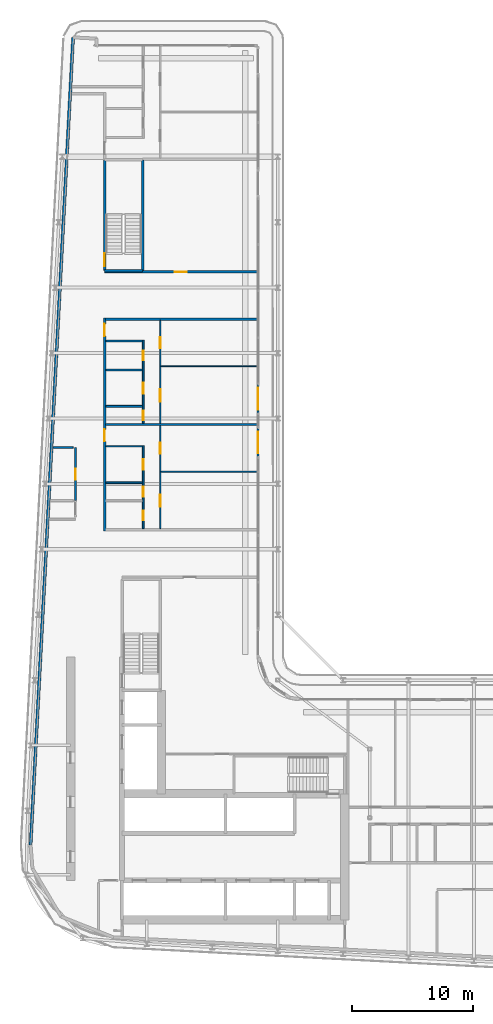
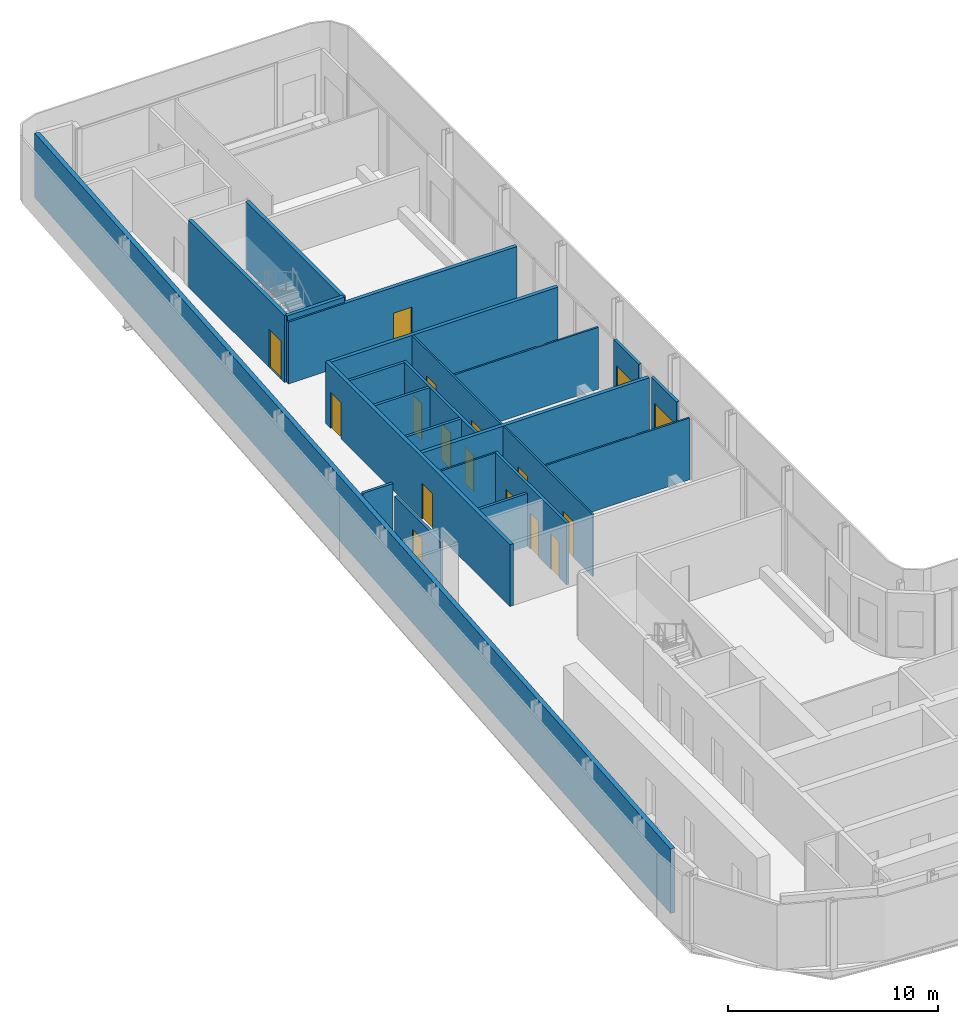
# One storey, part 14 of 23: 23 walls, 17 doors, 17 openings.
"""IFC4 building model written with IfcOpenShell, lengths in metres."""

import ifcopenshell
import ifcopenshell.guid

model = None  # the IFC model being written
_history = None  # IfcOwnerHistory: only IFC2X3 demands one
_inside = {}  # id of a spatial element -> (the spatial element, [elements in it])
_under = {}  # id of a project, library or spatial element -> (it, [spatial elements below it])
_declared = {}  # id of a project -> (the project, [libraries it declares])
_typed = {}  # id of a type object -> (the type object, [elements of that type])
_made_of = {}  # id of a material, layer set ... -> (it, [elements and type objects made of it])


def new_model(schema):
    """Start an empty IFC model of exactly this schema.

    Asked for "IFC4X3", IfcOpenShell would pick the latest addendum, in which some entities
    have other attributes; the version numbers below select the first issue.
    IFC2X3 requires an IfcOwnerHistory on every rooted entity: one is made here for all.
    """
    global model, _history
    if schema == "IFC4X3":
        model = ifcopenshell.file(schema_version=(4, 3, 0, 0))
    else:
        model = ifcopenshell.file(schema=schema)
    _inside.clear()
    _under.clear()
    _declared.clear()
    _typed.clear()
    _made_of.clear()
    _history = None
    if model.schema == "IFC2X3":
        org = make("IfcOrganization", Name="unknown")
        user = make(
            "IfcPersonAndOrganization",
            ThePerson=make("IfcPerson", FamilyName="unknown"),
            TheOrganization=org,
        )
        app = make(
            "IfcApplication",
            ApplicationDeveloper=org,
            Version="unknown",
            ApplicationFullName="unknown",
            ApplicationIdentifier="unknown",
        )
        _history = make(
            "IfcOwnerHistory",
            OwningUser=user,
            OwningApplication=app,
            ChangeAction="ADDED",
            CreationDate=0,
        )
    return model


def make(cls, **values):
    """One entity of the class cls with the attributes given. An attribute that is None is left unset."""
    return model.create_entity(
        cls, **{name: value for name, value in values.items() if value is not None}
    )


def rooted(cls, **values):
    """An entity with a GlobalId (a new one), such as an element, a storey or a relation."""
    return make(cls, GlobalId=ifcopenshell.guid.new(), OwnerHistory=_history, **values)


def si_unit(unit_type, name, prefix=None):
    """IfcSIUnit, for example si_unit("LENGTHUNIT", "METRE", prefix="MILLI")."""
    return make("IfcSIUnit", UnitType=unit_type, Prefix=prefix, Name=name)


def assignment(units):
    """IfcUnitAssignment: the units of a project."""
    return None if units is None else make("IfcUnitAssignment", Units=units)


def point(xyz):
    """IfcCartesianPoint."""
    return None if xyz is None else make("IfcCartesianPoint", Coordinates=xyz)


def direction(xyz):
    """IfcDirection."""
    return None if xyz is None else make("IfcDirection", DirectionRatios=xyz)


def frame(location, z_axis=None, x_axis=None):
    """IfcAxis2Placement3D, a coordinate frame: its origin and axes. An axis left out is left unset."""
    return make(
        "IfcAxis2Placement3D",
        Location=point(location),
        Axis=direction(z_axis),
        RefDirection=direction(x_axis),
    )


def frame_2d(location, x_axis=None):
    """IfcAxis2Placement2D, a coordinate frame in the plane: its origin and x axis."""
    return make(
        "IfcAxis2Placement2D", Location=point(location), RefDirection=direction(x_axis)
    )


def origin():
    """The frame at (0, 0, 0) with its axes left unset."""
    return frame((0.0, 0.0, 0.0))


def place(relative_to, where):
    """IfcLocalPlacement: puts the frame where relative to a parent placement (None: the world)."""
    return make(
        "IfcLocalPlacement", PlacementRelTo=relative_to, RelativePlacement=where
    )


def context(
    kind, dimensions, precision=None, world=None, true_north=None, identifier=None
):
    """IfcGeometricRepresentationContext, for example the 3D "Model" context."""
    return make(
        "IfcGeometricRepresentationContext",
        ContextIdentifier=identifier,
        ContextType=kind,
        CoordinateSpaceDimension=dimensions,
        Precision=precision,
        WorldCoordinateSystem=world,
        TrueNorth=true_north,
    )


def subcontext(parent, identifier, kind, view, scale=None):
    """IfcGeometricRepresentationSubContext, for example "Body" below "Model"."""
    return make(
        "IfcGeometricRepresentationSubContext",
        ContextIdentifier=identifier,
        ContextType=kind,
        ParentContext=parent,
        TargetScale=scale,
        TargetView=view,
    )


def project(units=None, contexts=None):
    """IfcProject with its units and contexts."""
    return rooted(
        "IfcProject",
        Name="project",
        RepresentationContexts=contexts,
        UnitsInContext=assignment(units),
    )


def spatial(cls, under=None, at=None, **own):
    """A site, building, storey or space (cls), placed at a placement, below another one or the project."""
    s = rooted(cls, ObjectPlacement=at, **own)
    if under is not None:
        _under.setdefault(under.id(), (under, []))[1].append(s)
    return s


def profile(cls, at=None, kind="AREA", **sizes):
    """A parametric profile (cls). Its sizes go by their IFC names, for example OverallWidth=200.0."""
    return make(cls, ProfileType=kind, Position=at, **sizes)


def rectangle(**sizes):
    """IfcRectangleProfileDef."""
    return profile("IfcRectangleProfileDef", **sizes)


def extrude(swept, where, along, depth):
    """IfcExtrudedAreaSolid: the profile swept, set in the frame where, extruded along a direction by depth."""
    return make(
        "IfcExtrudedAreaSolid",
        SweptArea=swept,
        Position=where,
        ExtrudedDirection=direction(along),
        Depth=depth,
    )


def shape(context_of_items, identifier, shape_type, items):
    """IfcShapeRepresentation: the items that make up one representation, for example the "Body"."""
    return make(
        "IfcShapeRepresentation",
        ContextOfItems=context_of_items,
        RepresentationIdentifier=identifier,
        RepresentationType=shape_type,
        Items=items,
    )


def source(mapping_origin, context_of_items, identifier, shape_type, items):
    """IfcRepresentationMap: a shape defined once, which mapped items show again and again."""
    return make(
        "IfcRepresentationMap",
        MappingOrigin=mapping_origin,
        MappedRepresentation=shape(context_of_items, identifier, shape_type, items),
    )


def transform(
    local_origin,
    x_axis=None,
    y_axis=None,
    z_axis=None,
    scale=None,
    scale2=None,
    scale3=None,
    uniform=True,
):
    """IfcCartesianTransformationOperator3D, or its non-uniform kind. x_axis, y_axis, z_axis: its Axis1, 2, 3."""
    if uniform:
        return make(
            "IfcCartesianTransformationOperator3D",
            Axis1=direction(x_axis),
            Axis2=direction(y_axis),
            LocalOrigin=point(local_origin),
            Scale=scale,
            Axis3=direction(z_axis),
        )
    return make(
        "IfcCartesianTransformationOperator3DnonUniform",
        Axis1=direction(x_axis),
        Axis2=direction(y_axis),
        LocalOrigin=point(local_origin),
        Scale=scale,
        Axis3=direction(z_axis),
        Scale2=scale2,
        Scale3=scale3,
    )


def mapped(mapping_source, mapping_target):
    """IfcMappedItem: shows the shape of a source again, moved by a transform."""
    return make(
        "IfcMappedItem", MappingSource=mapping_source, MappingTarget=mapping_target
    )


def material(Name=None, Category=None):
    """IfcMaterial."""
    return make("IfcMaterial", Name=Name, Category=Category)


def layer(
    of_material, thickness, ventilated=None, Name=None, Category=None, Priority=None
):
    """IfcMaterialLayer: one layer of a wall or slab, of a material (None: an air gap)."""
    return make(
        "IfcMaterialLayer",
        Material=of_material,
        LayerThickness=thickness,
        IsVentilated=ventilated,
        Name=Name,
        Category=Category,
        Priority=Priority,
    )


def layer_set(layers, Name=None):
    """IfcMaterialLayerSet."""
    return make("IfcMaterialLayerSet", MaterialLayers=layers, LayerSetName=Name)


def made_of(thing, what):
    """Note that an element or type object is made of a material, layer set ...; save() writes the relation."""
    if what is not None:
        _made_of.setdefault(what.id(), (what, []))[1].append(thing)
    return thing


def type_object(cls, material=None, **own):
    """A type object (cls), such as IfcWallType, which elements share."""
    return made_of(rooted(cls, **own), material)


def element(
    cls,
    number,
    at=None,
    inside=None,
    cuts=None,
    type_object=None,
    material=None,
    context=None,
    identifier="Body",
    shape_type=None,
    held_by="IfcProductDefinitionShape",
    body=None,
    shapes=None,
    **own,
):
    """One element of the class cls, such as IfcWall. Its Tag is "e" and its number.

    at: its placement. inside: the storey or other place that contains it. cuts: it is an
    opening in that element (IfcRelVoidsElement). A single representation is given by context,
    identifier, shape_type and body (its items); several are given by shapes. held_by: the class
    of the entity that holds the representations. save() writes the other relations.
    """
    e = rooted(cls, Tag="e%d" % number, ObjectPlacement=at, **own)
    if body is not None:
        shapes = [shape(context, identifier, shape_type, body)]
    if shapes is not None:
        e.Representation = make(held_by, Representations=shapes)
    if inside is not None:
        _inside.setdefault(inside.id(), (inside, []))[1].append(e)
    if cuts is not None:
        rooted(
            "IfcRelVoidsElement", RelatingBuildingElement=cuts, RelatedOpeningElement=e
        )
    if type_object is not None:
        _typed.setdefault(type_object.id(), (type_object, []))[1].append(e)
    return made_of(e, material)


def fill(opening, filler):
    """IfcRelFillsElement: the door or window that sits in an opening."""
    return rooted(
        "IfcRelFillsElement",
        RelatingOpeningElement=opening,
        RelatedBuildingElement=filler,
    )


def aggregate(whole, parts):
    """IfcRelAggregates: a whole, such as a stair, and the parts it consists of."""
    return rooted("IfcRelAggregates", RelatingObject=whole, RelatedObjects=parts)


def save(model, path):
    """Write the relations noted so far, then the file.

    IfcRelAggregates (storeys below a building ...), IfcRelContainedInSpatialStructure (elements
    in a storey), IfcRelDefinesByType, IfcRelAssociatesMaterial and IfcRelDeclares: one each for
    every whole, place, type object, material and project.
    """
    for whole, parts in _under.values():
        aggregate(whole, parts)
    for where, things in _inside.values():
        rooted(
            "IfcRelContainedInSpatialStructure",
            RelatedElements=things,
            RelatingStructure=where,
        )
    for kind, things in _typed.values():
        rooted("IfcRelDefinesByType", RelatedObjects=things, RelatingType=kind)
    for what, things in _made_of.values():
        rooted("IfcRelAssociatesMaterial", RelatedObjects=things, RelatingMaterial=what)
    for by, libraries in _declared.values():
        rooted("IfcRelDeclares", RelatingContext=by, RelatedDefinitions=libraries)
    model.write(path)


model = new_model("IFC4")

# Units and contexts
model_context = context("Model", 3, precision=1e-05, world=origin(), true_north=direction((0.0, 1.0)))
body_context = subcontext(model_context, "Body", "Model", "MODEL_VIEW")
ifc_project = project(units=[si_unit("LENGTHUNIT", "METRE"), si_unit("AREAUNIT", "SQUARE_METRE"), si_unit("VOLUMEUNIT", "CUBIC_METRE"), si_unit("PLANEANGLEUNIT", "RADIAN"), si_unit("MASSUNIT", "GRAM", prefix="KILO")], contexts=[model_context])

# Site, building, storey
site_placement = place(None, origin())
site = spatial("IfcSite", under=ifc_project, at=site_placement, CompositionType="ELEMENT")
building_placement = place(site_placement, origin())
building = spatial("IfcBuilding", under=site, at=building_placement, Name="Kheshtan School and Residences Tower", CompositionType="ELEMENT")
storey_placement = place(building_placement, frame((0.0, 0.0, 247.39990234375)))
storey = spatial("IfcBuildingStorey", under=building, at=storey_placement, Name="L58", CompositionType="ELEMENT", Elevation=247.39990234375)

# Wall, openings, doors
ifc_material_1 = material(Name="Gypsum board on steel studs with fire boards", Category="steel")
ifc_layer_1 = layer(ifc_material_1, 0.199951171875)
ifc_layer_set_1 = layer_set([ifc_layer_1], Name="Corridor wall 200")
wall_type_1 = type_object("IfcWallType", Name="Corridor wall 200", PredefinedType="PARTITIONING", material=ifc_layer_set_1)
wall_1_placement = place(storey_placement, frame((33.300048828125, 57.89990234375, 0.0), z_axis=(0.0, 0.0, 1.0), x_axis=(0.0, 1.0, 0.0)))
wall_1 = element("IfcWall", 1, at=wall_1_placement, inside=storey, type_object=wall_type_1, Name="Partition L58-003", PredefinedType="PARTITIONING", context=body_context, shape_type="SweptSolid", body=[
    extrude(rectangle(XDim=17.60009765625, YDim=0.199951171875, at=frame_2d((8.800048828125, 0.0))), origin(), (0.0, 0.0, 1.0), 3.60009765625),
])
opening_1_placement = place(wall_1_placement, frame((7.39990234375, 0.0, 0.0)))
opening_1 = element("IfcOpeningElement", 2, at=opening_1_placement, cuts=wall_1, Name="Opening D58-024", PredefinedType="OPENING", context=body_context, shape_type="SweptSolid", body=[
    extrude(rectangle(XDim=1.0, YDim=2.10009765625, at=frame_2d((0.5, 1.050048828125))), frame((0.0, 0.10986328125, 0.0), z_axis=(0.0, -1.0, 0.0), x_axis=(1.0, 0.0, 0.0)), (0.0, 0.0, 1.0), 0.219970703125),
])
opening_2_placement = place(wall_1_placement, frame((16.10009765625, 0.0, 0.0)))
opening_2 = element("IfcOpeningElement", 3, at=opening_2_placement, cuts=wall_1, Name="Opening D58-030", PredefinedType="OPENING", context=body_context, shape_type="SweptSolid", body=[
    extrude(rectangle(XDim=1.0, YDim=2.10009765625, at=frame_2d((0.5, 1.050048828125))), frame((0.0, 0.10986328125, 0.0), z_axis=(0.0, -1.0, 0.0), x_axis=(1.0, 0.0, 0.0)), (0.0, 0.0, 1.0), 0.219970703125),
])
ifc_material_2 = material(Name="Steel-framed fire-resisting door leaf", Category="steel")
door_type_1 = type_object("IfcDoorType", Name="Fire door FD30S 1000 x 2100", OperationType="SINGLE_SWING_LEFT", PredefinedType="DOOR", material=ifc_material_2)
shared_shape_1 = source(origin(), body_context, "Body", "SweptSolid", [
    extrude(rectangle(XDim=1.0, YDim=2.10009765625, at=frame_2d((0.5, 1.050048828125))), frame((0.0, 0.02490234375, 0.0), z_axis=(0.0, -1.0, 0.0), x_axis=(1.0, 0.0, 0.0)), (0.0, 0.0, 1.0), 0.050048828125),
])
door_1_placement = place(opening_1_placement, origin())
door_1 = element("IfcDoor", 4, at=door_1_placement, inside=storey, type_object=door_type_1, Name="Door D58-024", OperationType="SINGLE_SWING_LEFT", OverallHeight=2.10009765625, OverallWidth=1.0, PredefinedType="DOOR", context=body_context, shape_type="MappedRepresentation", body=[
    mapped(shared_shape_1, transform((0.0, 0.0, 0.0), x_axis=(1.0, 0.0, 0.0), y_axis=(0.0, 1.0, 0.0), z_axis=(0.0, 0.0, 1.0), scale=1.0)),
])
fill(opening_1, door_1)
door_2_placement = place(opening_2_placement, origin())
door_2 = element("IfcDoor", 5, at=door_2_placement, inside=storey, type_object=door_type_1, Name="Door D58-030", OperationType="SINGLE_SWING_RIGHT", OverallHeight=2.10009765625, OverallWidth=1.0, PredefinedType="DOOR", context=body_context, shape_type="MappedRepresentation", body=[
    mapped(shared_shape_1, transform((0.0, 0.0, 0.0), x_axis=(1.0, 0.0, 0.0), y_axis=(0.0, 1.0, 0.0), z_axis=(0.0, 0.0, 1.0), scale=1.0)),
])
fill(opening_2, door_2)

# Wall, opening, door
wall_2_placement = place(storey_placement, frame((33.300048828125, 79.300048828125, 0.0), z_axis=(0.0, 0.0, 1.0), x_axis=(1.0, 0.0, 0.0)))
wall_2 = element("IfcWall", 6, at=wall_2_placement, inside=storey, type_object=wall_type_1, Name="Partition L58-004", PredefinedType="PARTITIONING", context=body_context, shape_type="SweptSolid", body=[
    extrude(rectangle(XDim=12.599853515625, YDim=0.199951171875, at=frame_2d((6.2998046875, 0.0))), origin(), (0.0, 0.0, 1.0), 3.60009765625),
])
opening_3_placement = place(wall_2_placement, frame((5.794921875, 0.0, 0.0)))
opening_3 = element("IfcOpeningElement", 7, at=opening_3_placement, cuts=wall_2, Name="Opening D58-043", PredefinedType="OPENING", context=body_context, shape_type="SweptSolid", body=[
    extrude(rectangle(XDim=1.0, YDim=2.10009765625, at=frame_2d((0.5, 1.050048828125))), frame((0.0, 0.10986328125, 0.0), z_axis=(0.0, -1.0, 0.0), x_axis=(1.0, 0.0, 0.0)), (0.0, 0.0, 1.0), 0.219970703125),
])
door_type_2 = type_object("IfcDoorType", Name="Fire door FD60 1000 x 2100", OperationType="SINGLE_SWING_LEFT", PredefinedType="DOOR", material=ifc_material_2)
shared_shape_2 = source(origin(), body_context, "Body", "SweptSolid", [
    extrude(rectangle(XDim=1.0, YDim=2.10009765625, at=frame_2d((0.5, 1.050048828125))), frame((0.0, 0.02490234375, 0.0), z_axis=(0.0, -1.0, 0.0), x_axis=(1.0, 0.0, 0.0)), (0.0, 0.0, 1.0), 0.050048828125),
])
door_3_placement = place(opening_3_placement, origin())
door_3 = element("IfcDoor", 8, at=door_3_placement, inside=storey, type_object=door_type_2, Name="Door D58-043", OperationType="SINGLE_SWING_RIGHT", OverallHeight=2.10009765625, OverallWidth=1.0, PredefinedType="DOOR", context=body_context, shape_type="MappedRepresentation", body=[
    mapped(shared_shape_2, transform((0.0, 0.0, 0.0), x_axis=(1.0, 0.0, 0.0), y_axis=(0.0, 1.0, 0.0), z_axis=(0.0, 0.0, 1.0), scale=1.0)),
])
fill(opening_3, door_3)

# Walls
wall_3_placement = place(storey_placement, frame((33.39990234375, 75.39990234375, 0.0), z_axis=(0.0, 0.0, 1.0), x_axis=(1.0, 0.0, 0.0)))
element("IfcWall", 9, at=wall_3_placement, inside=storey, type_object=wall_type_1, Name="Partition L58-014", PredefinedType="PARTITIONING", context=body_context, shape_type="SweptSolid", body=[
    extrude(rectangle(XDim=12.5, YDim=0.199951171875, at=frame_2d((6.25, 0.0))), origin(), (0.0, 0.0, 1.0), 3.60009765625),
])
ifc_material_3 = material(Name="Concrete C40/50 with ceramic cladding and mineral wool insulation", Category="concrete")
ifc_layer_2 = layer(ifc_material_3, 0.25)
ifc_layer_set_2 = layer_set([ifc_layer_2], Name="External wall 250 ceramic clad")
wall_type_2 = type_object("IfcWallType", Name="External wall 250 ceramic clad", PredefinedType="SOLIDWALL", material=ifc_layer_set_2)
wall_4_placement = place(storey_placement, frame((27.195068359375, 31.968994140625, 0.0), z_axis=(0.0, 0.0, 1.0), x_axis=(0.052554995867, 0.998618031286, 0.0)))
element("IfcWall", 10, at=wall_4_placement, inside=storey, type_object=wall_type_2, Name="External wall L58 4", PredefinedType="SOLIDWALL", context=body_context, shape_type="SweptSolid", body=[
    extrude(rectangle(XDim=66.787353515625, YDim=0.25, at=frame_2d((33.3935546875, 0.0))), origin(), (0.0, 0.0, 1.0), 3.75),
])

# Wall, opening, door
ifc_material_4 = material(Name="Aluminium frame wall with insulated infill", Category="aluminium")
ifc_layer_3 = layer(ifc_material_4, 0.14990234375)
ifc_layer_set_3 = layer_set([ifc_layer_3], Name="Glazing frame wall 150")
wall_type_3 = type_object("IfcWallType", Name="Glazing frame wall 150", PredefinedType="SOLIDWALL", material=ifc_layer_set_3)
wall_5_placement = place(storey_placement, frame((45.97509765625, 70.01806640625, 0.0), z_axis=(0.0, 0.0, 1.0), x_axis=(0.0, -1.0, 0.0)))
wall_5 = element("IfcWall", 11, at=wall_5_placement, inside=storey, type_object=wall_type_3, Name="Balcony door wall L58 8.3", PredefinedType="SOLIDWALL", context=body_context, shape_type="SweptSolid", body=[
    extrude(rectangle(XDim=2.400146484375, YDim=0.14990234375, at=frame_2d((1.2001953125, 0.0))), origin(), (0.0, 0.0, 1.0), 3.75),
])
opening_4_placement = place(wall_5_placement, frame((0.300048828125, 0.0, 0.0)))
opening_4 = element("IfcOpeningElement", 12, at=opening_4_placement, cuts=wall_5, Name="Opening BD", PredefinedType="OPENING", context=body_context, shape_type="SweptSolid", body=[
    extrude(rectangle(XDim=1.800048828125, YDim=2.39990234375, at=frame_2d((0.89990234375, 1.199951171875))), frame((0.0, 0.0849609375, 0.0), z_axis=(0.0, -1.0, 0.0), x_axis=(1.0, 0.0, 0.0)), (0.0, 0.0, 1.0), 0.169921875),
])
ifc_material_5 = material(Name="Clear low-e glass in thermally broken aluminium frame", Category="aluminium")
door_type_3 = type_object("IfcDoorType", Name="Balcony sliding door", OperationType="SLIDING_TO_LEFT", PredefinedType="DOOR", material=ifc_material_5)
shared_shape_3 = source(origin(), body_context, "Body", "SweptSolid", [
    extrude(rectangle(XDim=1.800048828125, YDim=2.39990234375, at=frame_2d((0.89990234375, 1.199951171875))), frame((0.0, 0.02490234375, 0.0), z_axis=(0.0, -1.0, 0.0), x_axis=(1.0, 0.0, 0.0)), (0.0, 0.0, 1.0), 0.050048828125),
])
door_4_placement = place(opening_4_placement, origin())
door_4 = element("IfcDoor", 13, at=door_4_placement, inside=storey, type_object=door_type_3, Name="Balcony door L58 8.3", OperationType="SLIDING_TO_LEFT", OverallHeight=2.39990234375, OverallWidth=1.800048828125, PredefinedType="DOOR", context=body_context, shape_type="MappedRepresentation", body=[
    mapped(shared_shape_3, transform((0.0, 0.0, 0.0), x_axis=(1.0, 0.0, 0.0), y_axis=(0.0, 1.0, 0.0), z_axis=(0.0, 0.0, 1.0), scale=1.0)),
])
fill(opening_4, door_4)

wall_6_placement = place(storey_placement, frame((45.97509765625, 66.41796875, 0.0), z_axis=(0.0, 0.0, 1.0), x_axis=(0.0, -1.0, 0.0)))
wall_6 = element("IfcWall", 14, at=wall_6_placement, inside=storey, type_object=wall_type_3, Name="Balcony door wall L58 8.4", PredefinedType="SOLIDWALL", context=body_context, shape_type="SweptSolid", body=[
    extrude(rectangle(XDim=2.39990234375, YDim=0.14990234375, at=frame_2d((1.199951171875, 0.0))), origin(), (0.0, 0.0, 1.0), 3.75),
])
opening_5_placement = place(wall_6_placement, frame((0.300048828125, 0.0, 0.0)))
opening_5 = element("IfcOpeningElement", 15, at=opening_5_placement, cuts=wall_6, Name="Opening BD", PredefinedType="OPENING", context=body_context, shape_type="SweptSolid", body=[
    extrude(rectangle(XDim=1.800048828125, YDim=2.39990234375, at=frame_2d((0.89990234375, 1.199951171875))), frame((0.0, 0.0849609375, 0.0), z_axis=(0.0, -1.0, 0.0), x_axis=(1.0, 0.0, 0.0)), (0.0, 0.0, 1.0), 0.169921875),
])
door_5_placement = place(opening_5_placement, origin())
door_5 = element("IfcDoor", 16, at=door_5_placement, inside=storey, type_object=door_type_3, Name="Balcony door L58 8.4", OperationType="SLIDING_TO_LEFT", OverallHeight=2.39990234375, OverallWidth=1.800048828125, PredefinedType="DOOR", context=body_context, shape_type="MappedRepresentation", body=[
    mapped(shared_shape_3, transform((0.0, 0.0, 0.0), x_axis=(1.0, 0.0, 0.0), y_axis=(0.0, 1.0, 0.0), z_axis=(0.0, 0.0, 1.0), scale=1.0)),
])
fill(opening_5, door_5)

# Wall
ifc_material_6 = material(Name="Gypsum board on steel studs", Category="steel")
ifc_layer_4 = layer(ifc_material_6, 0.10009765625)
ifc_layer_set_4 = layer_set([ifc_layer_4], Name="Gypsum partition 100")
wall_type_4 = type_object("IfcWallType", Name="Gypsum partition 100", PredefinedType="PARTITIONING", material=ifc_layer_set_4)
wall_7_placement = place(storey_placement, frame((33.39990234375, 64.89990234375, 0.0), z_axis=(0.0, 0.0, 1.0), x_axis=(1.0, 0.0, 0.0)))
element("IfcWall", 17, at=wall_7_placement, inside=storey, type_object=wall_type_4, Name="Partition L58-009", PredefinedType="PARTITIONING", context=body_context, shape_type="SweptSolid", body=[
    extrude(rectangle(XDim=3.025146484375, YDim=0.10009765625, at=frame_2d((1.5126953125, 0.0))), origin(), (0.0, 0.0, 1.0), 3.60009765625),
])

# Wall, openings, doors
wall_8_placement = place(storey_placement, frame((37.89990234375, 58.10009765625, 0.0), z_axis=(0.0, 0.0, 1.0), x_axis=(0.0, 1.0, 0.0)))
wall_8 = element("IfcWall", 18, at=wall_8_placement, inside=storey, type_object=wall_type_4, Name="Partition L58-024", PredefinedType="PARTITIONING", context=body_context, shape_type="SweptSolid", body=[
    extrude(rectangle(XDim=8.5, YDim=0.10009765625, at=frame_2d((4.25, 0.0))), origin(), (0.0, 0.0, 1.0), 3.60009765625),
])
opening_6_placement = place(wall_8_placement, frame((6.199951171875, 0.0, 0.0)))
opening_6 = element("IfcOpeningElement", 19, at=opening_6_placement, cuts=wall_8, Name="Opening D58-023", PredefinedType="OPENING", context=body_context, shape_type="SweptSolid", body=[
    extrude(rectangle(XDim=0.89990234375, YDim=2.10009765625, at=frame_2d((0.449951171875, 1.050048828125))), frame((0.0, 0.06005859375, 0.0), z_axis=(0.0, -1.0, 0.0), x_axis=(1.0, 0.0, 0.0)), (0.0, 0.0, 1.0), 0.1201171875),
])
opening_7_placement = place(wall_8_placement, frame((1.800048828125, 0.0, 0.0)))
opening_7 = element("IfcOpeningElement", 20, at=opening_7_placement, cuts=wall_8, Name="Opening D58-026", PredefinedType="OPENING", context=body_context, shape_type="SweptSolid", body=[
    extrude(rectangle(XDim=1.0, YDim=2.10009765625, at=frame_2d((0.5, 1.050048828125))), frame((0.0, 0.06005859375, 0.0), z_axis=(0.0, -1.0, 0.0), x_axis=(1.0, 0.0, 0.0)), (0.0, 0.0, 1.0), 0.1201171875),
])
ifc_material_7 = material(Name="Veneered timber door leaf", Category="wood")
door_type_4 = type_object("IfcDoorType", Name="Door 1000 x 2100", OperationType="SINGLE_SWING_LEFT", PredefinedType="DOOR", material=ifc_material_7)
shared_shape_4 = source(origin(), body_context, "Body", "SweptSolid", [
    extrude(rectangle(XDim=1.0, YDim=2.10009765625, at=frame_2d((0.5, 1.050048828125))), frame((0.0, 0.02490234375, 0.0), z_axis=(0.0, -1.0, 0.0), x_axis=(1.0, 0.0, 0.0)), (0.0, 0.0, 1.0), 0.050048828125),
])
door_6_placement = place(opening_7_placement, origin())
door_6 = element("IfcDoor", 21, at=door_6_placement, inside=storey, type_object=door_type_4, Name="Door D58-026", OperationType="SINGLE_SWING_RIGHT", OverallHeight=2.10009765625, OverallWidth=1.0, PredefinedType="DOOR", context=body_context, shape_type="MappedRepresentation", body=[
    mapped(shared_shape_4, transform((0.0, 0.0, 0.0), x_axis=(1.0, 0.0, 0.0), y_axis=(0.0, 1.0, 0.0), z_axis=(0.0, 0.0, 1.0), scale=1.0)),
])
fill(opening_7, door_6)
door_type_5 = type_object("IfcDoorType", Name="Door 900 x 2100", OperationType="SINGLE_SWING_LEFT", PredefinedType="DOOR", material=ifc_material_7)
shared_shape_5 = source(origin(), body_context, "Body", "SweptSolid", [
    extrude(rectangle(XDim=0.89990234375, YDim=2.10009765625, at=frame_2d((0.449951171875, 1.050048828125))), frame((0.0, 0.02490234375, 0.0), z_axis=(0.0, -1.0, 0.0), x_axis=(1.0, 0.0, 0.0)), (0.0, 0.0, 1.0), 0.050048828125),
])
door_7_placement = place(opening_6_placement, origin())
door_7 = element("IfcDoor", 22, at=door_7_placement, inside=storey, type_object=door_type_5, Name="Door D58-023", OperationType="SINGLE_SWING_RIGHT", OverallHeight=2.10009765625, OverallWidth=0.89990234375, PredefinedType="DOOR", context=body_context, shape_type="MappedRepresentation", body=[
    mapped(shared_shape_5, transform((0.0, 0.0, 0.0), x_axis=(1.0, 0.0, 0.0), y_axis=(0.0, 1.0, 0.0), z_axis=(0.0, 0.0, 1.0), scale=1.0)),
])
fill(opening_6, door_7)

wall_9_placement = place(storey_placement, frame((37.89990234375, 66.800048828125, 0.0), z_axis=(0.0, 0.0, 1.0), x_axis=(0.0, 1.0, 0.0)))
wall_9 = element("IfcWall", 23, at=wall_9_placement, inside=storey, type_object=wall_type_4, Name="Partition L58-025", PredefinedType="PARTITIONING", context=body_context, shape_type="SweptSolid", body=[
    extrude(rectangle(XDim=8.5, YDim=0.10009765625, at=frame_2d((4.25, 0.0))), origin(), (0.0, 0.0, 1.0), 3.60009765625),
])
opening_8_placement = place(wall_9_placement, frame((6.199951171875, 0.0, 0.0)))
opening_8 = element("IfcOpeningElement", 24, at=opening_8_placement, cuts=wall_9, Name="Opening D58-029", PredefinedType="OPENING", context=body_context, shape_type="SweptSolid", body=[
    extrude(rectangle(XDim=0.89990234375, YDim=2.10009765625, at=frame_2d((0.449951171875, 1.050048828125))), frame((0.0, 0.06005859375, 0.0), z_axis=(0.0, -1.0, 0.0), x_axis=(1.0, 0.0, 0.0)), (0.0, 0.0, 1.0), 0.1201171875),
])
opening_9_placement = place(wall_9_placement, frame((1.800048828125, 0.0, 0.0)))
opening_9 = element("IfcOpeningElement", 25, at=opening_9_placement, cuts=wall_9, Name="Opening D58-032", PredefinedType="OPENING", context=body_context, shape_type="SweptSolid", body=[
    extrude(rectangle(XDim=1.0, YDim=2.10009765625, at=frame_2d((0.5, 1.050048828125))), frame((0.0, 0.06005859375, 0.0), z_axis=(0.0, -1.0, 0.0), x_axis=(1.0, 0.0, 0.0)), (0.0, 0.0, 1.0), 0.1201171875),
])
door_8_placement = place(opening_9_placement, origin())
door_8 = element("IfcDoor", 26, at=door_8_placement, inside=storey, type_object=door_type_4, Name="Door D58-032", OperationType="SINGLE_SWING_RIGHT", OverallHeight=2.10009765625, OverallWidth=1.0, PredefinedType="DOOR", context=body_context, shape_type="MappedRepresentation", body=[
    mapped(shared_shape_4, transform((0.0, 0.0, 0.0), x_axis=(1.0, 0.0, 0.0), y_axis=(0.0, 1.0, 0.0), z_axis=(0.0, 0.0, 1.0), scale=1.0)),
])
fill(opening_9, door_8)
door_9_placement = place(opening_8_placement, origin())
door_9 = element("IfcDoor", 27, at=door_9_placement, inside=storey, type_object=door_type_5, Name="Door D58-029", OperationType="SINGLE_SWING_RIGHT", OverallHeight=2.10009765625, OverallWidth=0.89990234375, PredefinedType="DOOR", context=body_context, shape_type="MappedRepresentation", body=[
    mapped(shared_shape_5, transform((0.0, 0.0, 0.0), x_axis=(1.0, 0.0, 0.0), y_axis=(0.0, 1.0, 0.0), z_axis=(0.0, 0.0, 1.0), scale=1.0)),
])
fill(opening_8, door_9)

# Walls
for number, where, z_axis, x_axis, name in (
    (28, (37.949951171875, 62.800048828125, 0.0), (0.0, 0.0, 1.0), (1.0, 0.0, 0.0), "Partition L58-027"),
    (29, (37.949951171875, 71.5, 0.0), (0.0, 0.0, 1.0), (1.0, 0.0, 0.0), "Partition L58-028"),
):
    element("IfcWall", number, at=place(storey_placement, frame(where, z_axis=z_axis, x_axis=x_axis)), inside=storey, type_object=wall_type_4, Name=name, PredefinedType="PARTITIONING", context=body_context, shape_type="SweptSolid", body=[
        extrude(rectangle(XDim=7.949951171875, YDim=0.10009765625, at=frame_2d((3.97509765625, 0.0))), origin(), (0.0, 0.0, 1.0), 3.60009765625),
    ])

# Wall, opening, door
ifc_material_8 = material(Name="Fire-board shaft wall system")
ifc_layer_5 = layer(ifc_material_8, 0.14990234375)
ifc_layer_set_5 = layer_set([ifc_layer_5], Name="Service room wall 150")
wall_type_5 = type_object("IfcWallType", Name="Service room wall 150", PredefinedType="PARTITIONING", material=ifc_layer_set_5)
wall_10_placement = place(storey_placement, frame((30.89990234375, 60.4140625, 0.0), z_axis=(0.0, 0.0, 1.0), x_axis=(0.0, 1.0, 0.0)))
wall_10 = element("IfcWall", 30, at=wall_10_placement, inside=storey, type_object=wall_type_5, Name="Service room wall", PredefinedType="PARTITIONING", context=body_context, shape_type="SweptSolid", body=[
    extrude(rectangle(XDim=4.385986328125, YDim=0.14990234375, at=frame_2d((2.19287109375, 0.0))), origin(), (0.0, 0.0, 1.0), 3.072021484375),
])
opening_10_placement = place(wall_10_placement, frame((1.742919921875, 0.0, 0.0)))
opening_10 = element("IfcOpeningElement", 31, at=opening_10_placement, cuts=wall_10, Name="Opening SR90", PredefinedType="OPENING", context=body_context, shape_type="SweptSolid", body=[
    extrude(rectangle(XDim=0.89990234375, YDim=2.199951171875, at=frame_2d((0.449951171875, 1.10009765625))), frame((0.0, 0.0849609375, 0.0), z_axis=(0.0, -1.0, 0.0), x_axis=(1.0, 0.0, 0.0)), (0.0, 0.0, 1.0), 0.169921875),
])
ifc_material_9 = material(Name="Steel door leaf, galvanised", Category="steel")
door_type_6 = type_object("IfcDoorType", Name="Service room door 900 steel 90 min", OperationType="SINGLE_SWING_LEFT", PredefinedType="DOOR", material=ifc_material_9)
shared_shape_6 = source(origin(), body_context, "Body", "SweptSolid", [
    extrude(rectangle(XDim=0.89990234375, YDim=2.199951171875, at=frame_2d((0.449951171875, 1.10009765625))), frame((0.0, 0.02490234375, 0.0), z_axis=(0.0, -1.0, 0.0), x_axis=(1.0, 0.0, 0.0)), (0.0, 0.0, 1.0), 0.050048828125),
])
door_10_placement = place(opening_10_placement, origin())
door_10 = element("IfcDoor", 32, at=door_10_placement, inside=storey, type_object=door_type_6, Name="Service room door", OperationType="SINGLE_SWING_LEFT", OverallHeight=2.199951171875, OverallWidth=0.89990234375, PredefinedType="DOOR", context=body_context, shape_type="MappedRepresentation", body=[
    mapped(shared_shape_6, transform((0.0, 0.0, 0.0), x_axis=(1.0, 0.0, 0.0), y_axis=(0.0, 1.0, 0.0), z_axis=(0.0, 0.0, 1.0), scale=1.0)),
])
fill(opening_10, door_10)

# Walls
wall_11_placement = place(storey_placement, frame((29.050048828125, 64.800048828125, 0.0), z_axis=(0.0, 0.0, 1.0), x_axis=(1.0, 0.0, 0.0)))
element("IfcWall", 33, at=wall_11_placement, inside=storey, type_object=wall_type_5, Name="Service room wall", PredefinedType="PARTITIONING", context=body_context, shape_type="SweptSolid", body=[
    extrude(rectangle(XDim=1.655029296875, YDim=0.14990234375, at=frame_2d((0.82763671875, 0.0))), origin(), (0.0, 0.0, 1.0), 3.900146484375),
])
ifc_material_10 = material(Name="Concrete C40/50", Category="concrete")
ifc_layer_6 = layer(ifc_material_10, 0.199951171875)
ifc_layer_set_6 = layer_set([ifc_layer_6], Name="Stair enclosure wall 200 Concrete C40/50")
wall_type_6 = type_object("IfcWallType", Name="Stair enclosure wall 200 Concrete C40/50", PredefinedType="SHEAR", material=ifc_layer_set_6)
wall_12_placement = place(storey_placement, frame((33.300048828125, 79.39990234375, 0.0), z_axis=(0.0, 0.0, 1.0), x_axis=(1.0, 0.0, 0.0)))
element("IfcWall", 34, at=wall_12_placement, inside=storey, type_object=wall_type_6, Name="Stair enclosure wall ST3", PredefinedType="SHEAR", context=body_context, shape_type="SweptSolid", body=[
    extrude(rectangle(XDim=3.14990234375, YDim=0.199951171875, at=frame_2d((1.574951171875, 0.0))), origin(), (0.0, 0.0, 1.0), 3.900146484375),
])

# Wall, opening, door
wall_13_placement = place(storey_placement, frame((33.300048828125, 79.39990234375, 0.0), z_axis=(0.0, 0.0, 1.0), x_axis=(0.0, 1.0, 0.0)))
wall_13 = element("IfcWall", 35, at=wall_13_placement, inside=storey, type_object=wall_type_6, Name="Stair enclosure wall ST3", PredefinedType="SHEAR", context=body_context, shape_type="SweptSolid", body=[
    extrude(rectangle(XDim=9.16015625, YDim=0.199951171875, at=frame_2d((4.580078125, 0.0))), origin(), (0.0, 0.0, 1.0), 3.900146484375),
])
opening_11_placement = place(wall_13_placement, frame((0.35009765625, 0.0, 0.0)))
opening_11 = element("IfcOpeningElement", 36, at=opening_11_placement, cuts=wall_13, Name="Opening ST3D", PredefinedType="OPENING", context=body_context, shape_type="SweptSolid", body=[
    extrude(rectangle(XDim=1.10009765625, YDim=2.199951171875, at=frame_2d((0.550048828125, 1.10009765625))), frame((0.0, 0.10986328125, 0.0), z_axis=(0.0, -1.0, 0.0), x_axis=(1.0, 0.0, 0.0)), (0.0, 0.0, 1.0), 0.219970703125),
])
door_type_7 = type_object("IfcDoorType", Name="Stair door 1100 steel 90 min", OperationType="SINGLE_SWING_LEFT", PredefinedType="DOOR", material=ifc_material_9)
shared_shape_7 = source(origin(), body_context, "Body", "SweptSolid", [
    extrude(rectangle(XDim=1.10009765625, YDim=2.199951171875, at=frame_2d((0.550048828125, 1.10009765625))), frame((0.0, 0.02490234375, 0.0), z_axis=(0.0, -1.0, 0.0), x_axis=(1.0, 0.0, 0.0)), (0.0, 0.0, 1.0), 0.050048828125),
])
door_11_placement = place(opening_11_placement, origin())
door_11 = element("IfcDoor", 37, at=door_11_placement, inside=storey, type_object=door_type_7, Name="Stair ST3 door", OperationType="SINGLE_SWING_RIGHT", OverallHeight=2.199951171875, OverallWidth=1.10009765625, PredefinedType="DOOR", context=body_context, shape_type="MappedRepresentation", body=[
    mapped(shared_shape_7, transform((0.0, 0.0, 0.0), x_axis=(1.0, 0.0, 0.0), y_axis=(0.0, 1.0, 0.0), z_axis=(0.0, 0.0, 1.0), scale=1.0)),
])
fill(opening_11, door_11)

# Walls
wall_14_placement = place(storey_placement, frame((36.449951171875, 79.39990234375, 0.0), z_axis=(0.0, 0.0, 1.0), x_axis=(0.0, 1.0, 0.0)))
element("IfcWall", 38, at=wall_14_placement, inside=storey, type_object=wall_type_6, Name="Stair enclosure wall ST3", PredefinedType="SHEAR", context=body_context, shape_type="SweptSolid", body=[
    extrude(rectangle(XDim=9.16015625, YDim=0.199951171875, at=frame_2d((4.580078125, 0.0))), origin(), (0.0, 0.0, 1.0), 3.900146484375),
])
ifc_material_11 = material(Name="Twin gypsum board on steel studs with mineral wool", Category="steel")
ifc_layer_7 = layer(ifc_material_11, 0.199951171875)
ifc_layer_set_7 = layer_set([ifc_layer_7], Name="Unit demising wall 200")
wall_type_7 = type_object("IfcWallType", Name="Unit demising wall 200", PredefinedType="PARTITIONING", material=ifc_layer_set_7)
wall_15_placement = place(storey_placement, frame((33.39990234375, 66.699951171875, 0.0), z_axis=(0.0, 0.0, 1.0), x_axis=(1.0, 0.0, 0.0)))
element("IfcWall", 39, at=wall_15_placement, inside=storey, type_object=wall_type_7, Name="Partition L58-010", PredefinedType="PARTITIONING", context=body_context, shape_type="SweptSolid", body=[
    extrude(rectangle(XDim=12.5, YDim=0.199951171875, at=frame_2d((6.25, 0.0))), origin(), (0.0, 0.0, 1.0), 3.60009765625),
])
ifc_material_12 = material(Name="Moisture-resistant gypsum board on steel studs", Category="steel")
ifc_layer_8 = layer(ifc_material_12, 0.14990234375)
ifc_layer_set_8 = layer_set([ifc_layer_8], Name="Wet-room partition 150")
wall_type_8 = type_object("IfcWallType", Name="Wet-room partition 150", PredefinedType="PARTITIONING", material=ifc_layer_set_8)
wall_16_placement = place(storey_placement, frame((33.39990234375, 61.89990234375, 0.0), z_axis=(0.0, 0.0, 1.0), x_axis=(1.0, 0.0, 0.0)))
element("IfcWall", 40, at=wall_16_placement, inside=storey, type_object=wall_type_8, Name="Partition L58-008", PredefinedType="PARTITIONING", context=body_context, shape_type="SweptSolid", body=[
    extrude(rectangle(XDim=3.025146484375, YDim=0.14990234375, at=frame_2d((1.5126953125, 0.0))), origin(), (0.0, 0.0, 1.0), 3.072021484375),
])
for number, where, z_axis, x_axis, name in (
    (41, (33.39990234375, 68.199951171875, 0.0), (0.0, 0.0, 1.0), (1.0, 0.0, 0.0), "Partition L58-011"),
    (42, (33.39990234375, 71.199951171875, 0.0), (0.0, 0.0, 1.0), (1.0, 0.0, 0.0), "Partition L58-012"),
    (43, (33.39990234375, 73.60009765625, 0.0), (0.0, 0.0, 1.0), (1.0, 0.0, 0.0), "Partition L58-013"),
):
    element("IfcWall", number, at=place(storey_placement, frame(where, z_axis=z_axis, x_axis=x_axis)), inside=storey, type_object=wall_type_8, Name=name, PredefinedType="PARTITIONING", context=body_context, shape_type="SweptSolid", body=[
        extrude(rectangle(XDim=3.025146484375, YDim=0.14990234375, at=frame_2d((1.5126953125, 0.0))), origin(), (0.0, 0.0, 1.0), 3.60009765625),
    ])

# Wall, openings, doors
wall_17_placement = place(storey_placement, frame((36.5, 58.10009765625, 0.0), z_axis=(0.0, 0.0, 1.0), x_axis=(0.0, 1.0, 0.0)))
wall_17 = element("IfcWall", 44, at=wall_17_placement, inside=storey, type_object=wall_type_8, Name="Partition L58-020", PredefinedType="PARTITIONING", context=body_context, shape_type="SweptSolid", body=[
    extrude(rectangle(XDim=6.849853515625, YDim=0.14990234375, at=frame_2d((3.4248046875, 0.0))), origin(), (0.0, 0.0, 1.0), 3.60009765625),
])
opening_12_placement = place(wall_17_placement, frame((0.699951171875, 0.0, 0.0)))
opening_12 = element("IfcOpeningElement", 45, at=opening_12_placement, cuts=wall_17, Name="Opening D58-022", PredefinedType="OPENING", context=body_context, shape_type="SweptSolid", body=[
    extrude(rectangle(XDim=0.800048828125, YDim=2.10009765625, at=frame_2d((0.39990234375, 1.050048828125))), frame((0.0, 0.0849609375, 0.0), z_axis=(0.0, -1.0, 0.0), x_axis=(1.0, 0.0, 0.0)), (0.0, 0.0, 1.0), 0.169921875),
])
opening_13_placement = place(wall_17_placement, frame((4.85009765625, 0.0, 0.0)))
opening_13 = element("IfcOpeningElement", 46, at=opening_13_placement, cuts=wall_17, Name="Opening D58-025", PredefinedType="OPENING", context=body_context, shape_type="SweptSolid", body=[
    extrude(rectangle(XDim=0.89990234375, YDim=2.10009765625, at=frame_2d((0.449951171875, 1.050048828125))), frame((0.0, 0.0849609375, 0.0), z_axis=(0.0, -1.0, 0.0), x_axis=(1.0, 0.0, 0.0)), (0.0, 0.0, 1.0), 0.169921875),
])
opening_14_placement = place(wall_17_placement, frame((2.64990234375, 0.0, 0.0)))
opening_14 = element("IfcOpeningElement", 47, at=opening_14_placement, cuts=wall_17, Name="Opening D58-027", PredefinedType="OPENING", context=body_context, shape_type="SweptSolid", body=[
    extrude(rectangle(XDim=0.800048828125, YDim=2.10009765625, at=frame_2d((0.39990234375, 1.050048828125))), frame((0.0, 0.0849609375, 0.0), z_axis=(0.0, -1.0, 0.0), x_axis=(1.0, 0.0, 0.0)), (0.0, 0.0, 1.0), 0.169921875),
])
door_type_8 = type_object("IfcDoorType", Name="Door 800 x 2100", OperationType="SINGLE_SWING_LEFT", PredefinedType="DOOR", material=ifc_material_7)
shared_shape_8 = source(origin(), body_context, "Body", "SweptSolid", [
    extrude(rectangle(XDim=0.800048828125, YDim=2.10009765625, at=frame_2d((0.39990234375, 1.050048828125))), frame((0.0, 0.02490234375, 0.0), z_axis=(0.0, -1.0, 0.0), x_axis=(1.0, 0.0, 0.0)), (0.0, 0.0, 1.0), 0.050048828125),
])
door_12_placement = place(opening_12_placement, origin())
door_12 = element("IfcDoor", 48, at=door_12_placement, inside=storey, type_object=door_type_8, Name="Door D58-022", OperationType="SINGLE_SWING_LEFT", OverallHeight=2.10009765625, OverallWidth=0.800048828125, PredefinedType="DOOR", context=body_context, shape_type="MappedRepresentation", body=[
    mapped(shared_shape_8, transform((0.0, 0.0, 0.0), x_axis=(1.0, 0.0, 0.0), y_axis=(0.0, 1.0, 0.0), z_axis=(0.0, 0.0, 1.0), scale=1.0)),
])
fill(opening_12, door_12)
door_13_placement = place(opening_14_placement, origin())
door_13 = element("IfcDoor", 49, at=door_13_placement, inside=storey, type_object=door_type_8, Name="Door D58-027", OperationType="SINGLE_SWING_RIGHT", OverallHeight=2.10009765625, OverallWidth=0.800048828125, PredefinedType="DOOR", context=body_context, shape_type="MappedRepresentation", body=[
    mapped(shared_shape_8, transform((0.0, 0.0, 0.0), x_axis=(1.0, 0.0, 0.0), y_axis=(0.0, 1.0, 0.0), z_axis=(0.0, 0.0, 1.0), scale=1.0)),
])
fill(opening_14, door_13)
door_14_placement = place(opening_13_placement, origin())
door_14 = element("IfcDoor", 50, at=door_14_placement, inside=storey, type_object=door_type_5, Name="Door D58-025", OperationType="SINGLE_SWING_RIGHT", OverallHeight=2.10009765625, OverallWidth=0.89990234375, PredefinedType="DOOR", context=body_context, shape_type="MappedRepresentation", body=[
    mapped(shared_shape_5, transform((0.0, 0.0, 0.0), x_axis=(1.0, 0.0, 0.0), y_axis=(0.0, 1.0, 0.0), z_axis=(0.0, 0.0, 1.0), scale=1.0)),
])
fill(opening_13, door_14)

wall_18_placement = place(storey_placement, frame((36.5, 66.800048828125, 0.0), z_axis=(0.0, 0.0, 1.0), x_axis=(0.0, 1.0, 0.0)))
wall_18 = element("IfcWall", 51, at=wall_18_placement, inside=storey, type_object=wall_type_8, Name="Partition L58-021", PredefinedType="PARTITIONING", context=body_context, shape_type="SweptSolid", body=[
    extrude(rectangle(XDim=6.875, YDim=0.14990234375, at=frame_2d((3.4375, 0.0))), origin(), (0.0, 0.0, 1.0), 3.60009765625),
])
opening_15_placement = place(wall_18_placement, frame((5.199951171875, 0.0, 0.0)))
opening_15 = element("IfcOpeningElement", 52, at=opening_15_placement, cuts=wall_18, Name="Opening D58-028", PredefinedType="OPENING", context=body_context, shape_type="SweptSolid", body=[
    extrude(rectangle(XDim=0.800048828125, YDim=2.10009765625, at=frame_2d((0.39990234375, 1.050048828125))), frame((0.0, 0.0849609375, 0.0), z_axis=(0.0, -1.0, 0.0), x_axis=(1.0, 0.0, 0.0)), (0.0, 0.0, 1.0), 0.169921875),
])
opening_16_placement = place(wall_18_placement, frame((2.449951171875, 0.0, 0.0)))
opening_16 = element("IfcOpeningElement", 53, at=opening_16_placement, cuts=wall_18, Name="Opening D58-031", PredefinedType="OPENING", context=body_context, shape_type="SweptSolid", body=[
    extrude(rectangle(XDim=0.89990234375, YDim=2.10009765625, at=frame_2d((0.449951171875, 1.050048828125))), frame((0.0, 0.0849609375, 0.0), z_axis=(0.0, -1.0, 0.0), x_axis=(1.0, 0.0, 0.0)), (0.0, 0.0, 1.0), 0.169921875),
])
opening_17_placement = place(wall_18_placement, frame((0.25, 0.0, 0.0)))
opening_17 = element("IfcOpeningElement", 54, at=opening_17_placement, cuts=wall_18, Name="Opening D58-033", PredefinedType="OPENING", context=body_context, shape_type="SweptSolid", body=[
    extrude(rectangle(XDim=0.800048828125, YDim=2.10009765625, at=frame_2d((0.39990234375, 1.050048828125))), frame((0.0, 0.0849609375, 0.0), z_axis=(0.0, -1.0, 0.0), x_axis=(1.0, 0.0, 0.0)), (0.0, 0.0, 1.0), 0.169921875),
])
door_15_placement = place(opening_15_placement, origin())
door_15 = element("IfcDoor", 55, at=door_15_placement, inside=storey, type_object=door_type_8, Name="Door D58-028", OperationType="SINGLE_SWING_RIGHT", OverallHeight=2.10009765625, OverallWidth=0.800048828125, PredefinedType="DOOR", context=body_context, shape_type="MappedRepresentation", body=[
    mapped(shared_shape_8, transform((0.0, 0.0, 0.0), x_axis=(1.0, 0.0, 0.0), y_axis=(0.0, 1.0, 0.0), z_axis=(0.0, 0.0, 1.0), scale=1.0)),
])
fill(opening_15, door_15)
door_16_placement = place(opening_17_placement, origin())
door_16 = element("IfcDoor", 56, at=door_16_placement, inside=storey, type_object=door_type_8, Name="Door D58-033", OperationType="SINGLE_SWING_RIGHT", OverallHeight=2.10009765625, OverallWidth=0.800048828125, PredefinedType="DOOR", context=body_context, shape_type="MappedRepresentation", body=[
    mapped(shared_shape_8, transform((0.0, 0.0, 0.0), x_axis=(1.0, 0.0, 0.0), y_axis=(0.0, 1.0, 0.0), z_axis=(0.0, 0.0, 1.0), scale=1.0)),
])
fill(opening_17, door_16)
door_17_placement = place(opening_16_placement, origin())
door_17 = element("IfcDoor", 57, at=door_17_placement, inside=storey, type_object=door_type_5, Name="Door D58-031", OperationType="SINGLE_SWING_RIGHT", OverallHeight=2.10009765625, OverallWidth=0.89990234375, PredefinedType="DOOR", context=body_context, shape_type="MappedRepresentation", body=[
    mapped(shared_shape_5, transform((0.0, 0.0, 0.0), x_axis=(1.0, 0.0, 0.0), y_axis=(0.0, 1.0, 0.0), z_axis=(0.0, 0.0, 1.0), scale=1.0)),
])
fill(opening_16, door_17)

save(model, "model.ifc")
